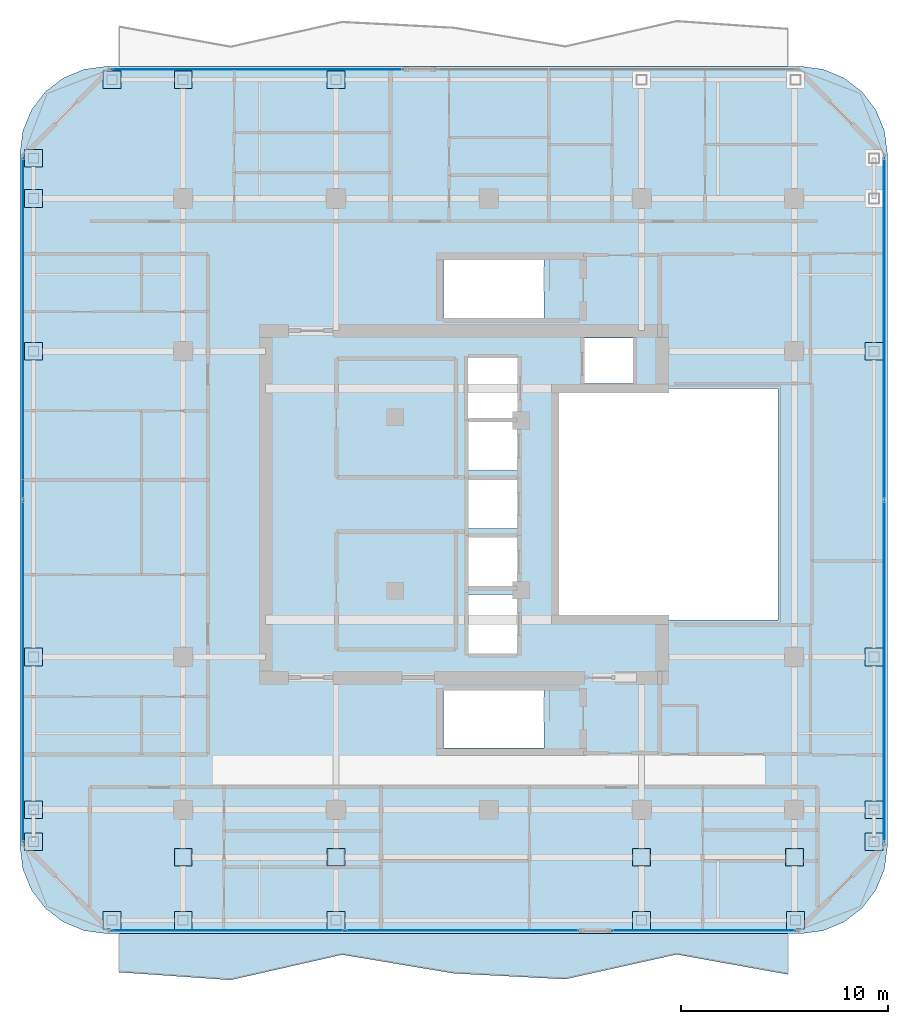
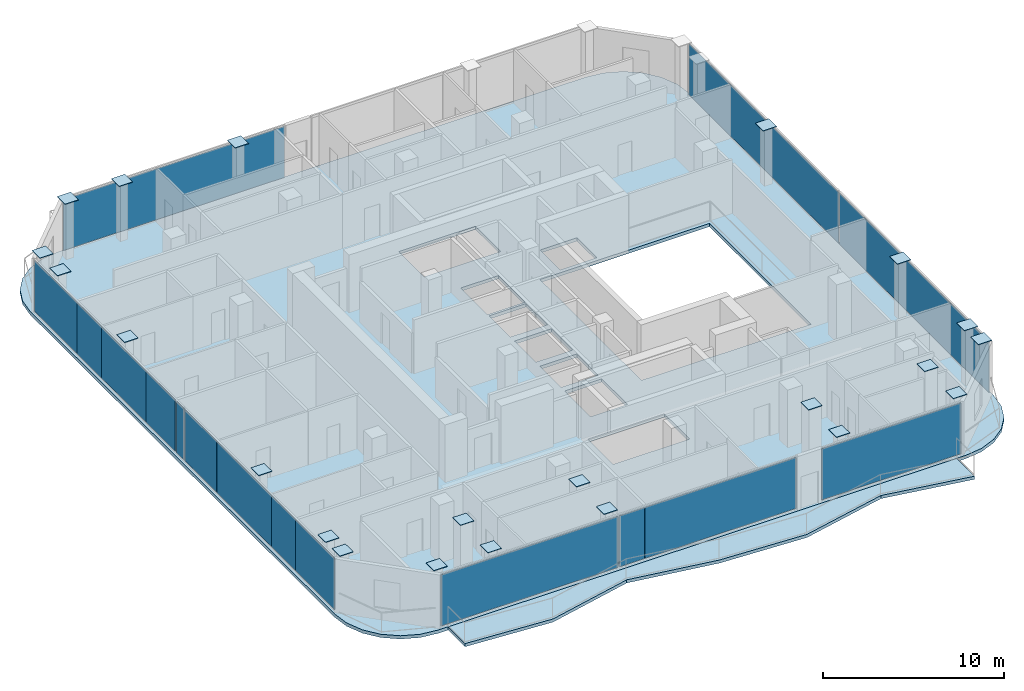
# One storey, part 15 of 22: 38 plates, 2 slabs, 5 elements without a shape of their own.
"""IFC4 building model written with IfcOpenShell, lengths in metres."""

from ifc_helpers import new_model, si_unit, direction, frame, origin, origin_2d, place, context, subcontext, project, spatial, polyline, rectangle, outline, extrude, material, layer, layer_set, type_object, element, aggregate, save


model = new_model("IFC4")

# Units and contexts
model_context = context("Model", 3, precision=1e-05, world=origin(), true_north=direction((0.0, 1.0)))
body_context = subcontext(model_context, "Body", "Model", "MODEL_VIEW")
ifc_project = project(units=[si_unit("LENGTHUNIT", "METRE"), si_unit("AREAUNIT", "SQUARE_METRE"), si_unit("VOLUMEUNIT", "CUBIC_METRE"), si_unit("PLANEANGLEUNIT", "RADIAN"), si_unit("MASSUNIT", "GRAM", prefix="KILO")], contexts=[model_context])

# Site, building, storey
site_placement = place(None, origin())
site = spatial("IfcSite", under=ifc_project, at=site_placement, CompositionType="ELEMENT")
building_placement = place(site_placement, origin())
building = spatial("IfcBuilding", under=site, at=building_placement, Name="Khorvyn Point Tower", CompositionType="ELEMENT")
storey_placement = place(building_placement, frame((0.0, 0.0, 309.300048828125)))
storey = spatial("IfcBuildingStorey", under=building, at=storey_placement, Name="L76", CompositionType="ELEMENT", Elevation=309.300048828125)

# Slabs
ifc_material_1 = material(Name="Concrete C40/50", Category="concrete")
ifc_layer_1 = layer(ifc_material_1, 0.2099609375)
ifc_layer_set_1 = layer_set([ifc_layer_1], Name="Concrete C40/50 Rippling Balcony Slab 210")
slab_type_1 = type_object("IfcSlabType", Name="Concrete C40/50 Rippling Balcony Slab 210", PredefinedType="USERDEFINED", material=ifc_layer_set_1)
slab_1_placement = place(storey_placement, frame((0.0, 0.0, -0.2099609375)))
element("IfcSlab", 1, at=slab_1_placement, inside=storey, type_object=slab_type_1, Name="L76 South Sinusoidal Rippling Balcony", ObjectType="BALCONY", PredefinedType="USERDEFINED", context=body_context, shape_type="SweptSolid", body=[
    extrude(outline(polyline([(-17.89990234375, -20.800048828125), (-17.89990234375, -22.668212890625), (-12.5, -23.04345703125), (-7.10009765625, -21.817138671875), (-1.699951171875, -22.723388671875), (3.699951171875, -23.002685546875), (9.10009765625, -21.8046875), (14.5, -22.77734375), (14.5, -20.800048828125), (-17.89990234375, -20.800048828125)])), origin(), (0.0, 0.0, 1.0), 0.2099609375),
])
ifc_layer_2 = layer(ifc_material_1, 0.264892578125)
ifc_layer_set_2 = layer_set([ifc_layer_2], Name="Concrete C40/50 Structural Floor Slab 265")
slab_type_2 = type_object("IfcSlabType", Name="Concrete C40/50 Structural Floor Slab 265", PredefinedType="FLOOR", material=ifc_layer_set_2)
slab_2_placement = place(storey_placement, frame((0.0, 0.0, -0.219970703125)))
element("IfcSlab", 2, at=slab_2_placement, inside=storey, type_object=slab_type_2, Name="L76 Main Structural Floor Slab", PredefinedType="FLOOR", context=body_context, shape_type="SweptSolid", body=[
    extrude(outline(polyline([(-18.5, -20.800048828125), (-19.5869140625, -20.656982421875), (-20.60009765625, -20.2373046875), (-21.4697265625, -19.56982421875), (-22.13720703125, -18.699951171875), (-22.556884765625, -17.68701171875), (-22.699951171875, -16.60009765625), (-22.699951171875, 17.0), (-22.556884765625, 18.0869140625), (-22.13720703125, 19.10009765625), (-21.4697265625, 19.9697265625), (-20.60009765625, 20.63720703125), (-19.5869140625, 21.056884765625), (-18.5, 21.199951171875), (15.10009765625, 21.199951171875), (16.18701171875, 21.056884765625), (17.199951171875, 20.63720703125), (18.06982421875, 19.9697265625), (18.7373046875, 19.10009765625), (19.156982421875, 18.0869140625), (19.300048828125, 17.0), (19.300048828125, -16.60009765625), (19.156982421875, -17.68701171875), (18.7373046875, -18.699951171875), (18.06982421875, -19.56982421875), (17.199951171875, -20.2373046875), (16.18701171875, -20.656982421875), (15.10009765625, -20.800048828125), (-18.5, -20.800048828125)]), holes=[polyline([(2.679931640625, -11.820068359375), (2.679931640625, -9.02001953125), (-2.199951171875, -9.02001953125), (-2.199951171875, -11.820068359375), (2.679931640625, -11.820068359375)]), polyline([(1.375, -7.22509765625), (1.375, -4.375), (-0.97509765625, -4.375), (-0.97509765625, -7.22509765625), (1.375, -7.22509765625)]), polyline([(1.375, -3.97509765625), (1.375, -1.625), (-0.97509765625, -1.625), (-0.97509765625, -3.97509765625), (1.375, -3.97509765625)]), polyline([(1.375, -1.175048828125), (1.375, 1.175048828125), (-0.97509765625, 1.175048828125), (-0.97509765625, -1.175048828125), (1.375, -1.175048828125)]), polyline([(14.0, -5.60009765625), (14.0, 5.60009765625), (3.199951171875, 5.60009765625), (3.199951171875, -5.60009765625), (14.0, -5.60009765625)]), polyline([(1.375, 1.625), (1.375, 3.97509765625), (-0.97509765625, 3.97509765625), (-0.97509765625, 1.625), (1.375, 1.625)]), polyline([(1.39990234375, 4.125), (1.39990234375, 7.074951171875), (-1.0, 7.074951171875), (-1.0, 4.125), (1.39990234375, 4.125)]), polyline([(4.625, 5.85009765625), (6.97509765625, 5.85009765625), (6.97509765625, 8.054931640625), (4.625, 8.054931640625), (4.625, 5.85009765625)]), polyline([(-2.199951171875, 9.02001953125), (2.679931640625, 9.02001953125), (2.679931640625, 11.820068359375), (-2.199951171875, 11.820068359375), (-2.199951171875, 9.02001953125)])]), origin(), (0.0, 0.0, 1.0), 0.219970703125),
])

# Plates
ifc_material_2 = material(Name="Steel S450", Category="steel")
ifc_layer_3 = layer(ifc_material_2, 0.031982421875)
ifc_layer_set_3 = layer_set([ifc_layer_3], Name="Steel S450 Exoskeleton End Cap Plate 32")
plate_type_1 = type_object("IfcPlateType", Name="Steel S450 Exoskeleton End Cap Plate 32", PredefinedType="USERDEFINED", material=ifc_layer_set_3)
for number, where, z_axis, x_axis, name in (
    (3, (-14.800048828125, -17.10009765625, 3.89404296875), (0.0, 0.0, 1.0), (1.0, 0.0, 0.0), "Plate"),
    (4, (-7.39990234375, -17.10009765625, 3.89404296875), (0.0, 0.0, 1.0), (1.0, 0.0, 0.0), "Plate"),
    (5, (7.39990234375, -17.10009765625, 3.89404296875), (0.0, 0.0, 1.0), (1.0, 0.0, 0.0), "Plate"),
    (6, (14.800048828125, -17.10009765625, 3.89404296875), (0.0, 0.0, 1.0), (1.0, 0.0, 0.0), "Plate"),
    (7, (-18.25, -20.14990234375, 3.89404296875), (0.0, 0.0, 1.0), (1.0, 0.0, 0.0), "Plate"),
    (8, (14.85009765625, -20.14990234375, 3.89404296875), (0.0, 0.0, 1.0), (1.0, 0.0, 0.0), "Plate"),
    (9, (-18.25, 20.550048828125, 3.89404296875), (0.0, 0.0, 1.0), (1.0, 0.0, 0.0), "Plate"),
    (10, (-22.050048828125, -16.35009765625, 3.89404296875), (0.0, 0.0, 1.0), (1.0, 0.0, 0.0), "Plate"),
    (11, (-22.050048828125, 16.75, 3.89404296875), (0.0, 0.0, 1.0), (1.0, 0.0, 0.0), "Plate"),
    (12, (18.64990234375, -16.35009765625, 3.89404296875), (0.0, 0.0, 1.0), (1.0, 0.0, 0.0), "Plate"),
    (13, (-14.800048828125, -20.14990234375, 3.89404296875), (0.0, 0.0, 1.0), (1.0, 0.0, 0.0), "Plate"),
    (14, (-14.800048828125, 20.550048828125, 3.89404296875), (0.0, 0.0, 1.0), (1.0, 0.0, 0.0), "Plate"),
    (15, (-7.39990234375, -20.14990234375, 3.89404296875), (0.0, 0.0, 1.0), (1.0, 0.0, 0.0), "Plate"),
    (16, (-7.39990234375, 20.550048828125, 3.89404296875), (0.0, 0.0, 1.0), (1.0, 0.0, 0.0), "Plate"),
    (17, (7.39990234375, -20.14990234375, 3.89404296875), (0.0, 0.0, 1.0), (1.0, 0.0, 0.0), "Plate"),
    (18, (-22.050048828125, -14.800048828125, 3.89404296875), (0.0, 0.0, 1.0), (1.0, 0.0, 0.0), "Plate"),
    (19, (18.64990234375, -14.800048828125, 3.89404296875), (0.0, 0.0, 1.0), (1.0, 0.0, 0.0), "Plate"),
    (20, (-22.050048828125, -7.39990234375, 3.89404296875), (0.0, 0.0, 1.0), (1.0, 0.0, 0.0), "Plate"),
    (21, (18.64990234375, -7.39990234375, 3.89404296875), (0.0, 0.0, 1.0), (1.0, 0.0, 0.0), "Plate"),
    (22, (-22.050048828125, 7.39990234375, 3.89404296875), (0.0, 0.0, 1.0), (1.0, 0.0, 0.0), "Plate"),
    (23, (18.64990234375, 7.39990234375, 3.89404296875), (0.0, 0.0, 1.0), (1.0, 0.0, 0.0), "Plate"),
    (24, (-22.050048828125, 14.800048828125, 3.89404296875), (0.0, 0.0, 1.0), (1.0, 0.0, 0.0), "Plate"),
):
    element("IfcPlate", number, at=place(storey_placement, frame(where, z_axis=z_axis, x_axis=x_axis)), inside=storey, type_object=plate_type_1, Name=name, ObjectType="GUSSET", PredefinedType="USERDEFINED", context=body_context, shape_type="SweptSolid", body=[
        extrude(rectangle(XDim=0.860107421875, YDim=0.860107421875, at=origin_2d()), origin(), (0.0, 0.0, 1.0), 0.031982421875),
    ])

# Curtain wall, plate
ifc_material_3 = material(Name="Anodised aluminium 6063-T6 and laminated Low-E glass", Category="aluminium")
ifc_layer_4 = layer(ifc_material_3, 0.18994140625)
ifc_layer_set_4 = layer_set([ifc_layer_4], Name="Stick-Built High-Wind Curtain Wall CW-SYS-04")
curtain_wall_type = type_object("IfcCurtainWallType", Name="Stick-Built High-Wind Curtain Wall CW-SYS-04", PredefinedType="NOTDEFINED", material=ifc_layer_set_4)
curtain_wall_1_placement = place(storey_placement, origin())
curtain_wall_1 = element("IfcCurtainWall", 25, at=curtain_wall_1_placement, inside=storey, type_object=curtain_wall_type, Name="Curtain Wall", PredefinedType="NOTDEFINED")
ifc_material_4 = material(Name="Laminated Low-E insulated glass", Category="glass")
ifc_layer_5 = layer(ifc_material_4, 0.028076171875)
ifc_layer_set_5 = layer_set([ifc_layer_5], Name="Tempered Low-E Vision Glazing Panel CW-GL28")
plate_type_2 = type_object("IfcPlateType", Name="Tempered Low-E Vision Glazing Panel CW-GL28", PredefinedType="CURTAIN_PANEL", material=ifc_layer_set_5)
plate_1_placement = place(storey_placement, frame((10.41650390625, -20.64990234375, 0.10009765625), z_axis=(0.0, 0.0, 1.0), x_axis=(-1.0, 0.0, 0.0)))
plate_1 = element("IfcPlate", 26, at=plate_1_placement, type_object=plate_type_2, Name="Panel", PredefinedType="CURTAIN_PANEL", context=body_context, shape_type="SweptSolid", body=[
    extrude(rectangle(XDim=8.866943359375, YDim=0.028076171875, at=origin_2d()), origin(), (0.0, 0.0, 1.0), 3.43994140625),
])
aggregate(curtain_wall_1, [plate_1])

# Curtain wall, plates
curtain_wall_2_placement = place(storey_placement, origin())
curtain_wall_2 = element("IfcCurtainWall", 27, at=curtain_wall_2_placement, inside=storey, type_object=curtain_wall_type, Name="Curtain Wall", PredefinedType="NOTDEFINED")
plate_2_placement = place(storey_placement, frame((-6.09375, -20.64990234375, 0.10009765625), z_axis=(0.0, 0.0, 1.0), x_axis=(-1.0, 0.0, 0.0)))
plate_2 = element("IfcPlate", 28, at=plate_2_placement, type_object=plate_type_2, Name="Panel", PredefinedType="CURTAIN_PANEL", context=body_context, shape_type="SweptSolid", body=[
    extrude(rectangle(XDim=1.611572265625, YDim=0.028076171875, at=origin_2d()), origin(), (0.0, 0.0, 1.0), 3.43994140625),
])
plate_3_placement = place(storey_placement, frame((-0.470458984375, -20.64990234375, 0.10009765625), z_axis=(0.0, 0.0, 1.0), x_axis=(-1.0, 0.0, 0.0)))
plate_3 = element("IfcPlate", 29, at=plate_3_placement, type_object=plate_type_2, Name="Panel", PredefinedType="CURTAIN_PANEL", context=body_context, shape_type="SweptSolid", body=[
    extrude(rectangle(XDim=9.618896484375, YDim=0.028076171875, at=origin_2d()), origin(), (0.0, 0.0, 1.0), 3.43994140625),
])
plate_4_placement = place(storey_placement, frame((-12.626708984375, -20.64990234375, 0.10009765625), z_axis=(0.0, 0.0, 1.0), x_axis=(-1.0, 0.0, 0.0)))
plate_4 = element("IfcPlate", 30, at=plate_4_placement, type_object=plate_type_2, Name="Panel", PredefinedType="CURTAIN_PANEL", context=body_context, shape_type="SweptSolid", body=[
    extrude(rectangle(XDim=11.24658203125, YDim=0.028076171875, at=origin_2d()), origin(), (0.0, 0.0, 1.0), 3.43994140625),
])
aggregate(curtain_wall_2, [plate_2, plate_3, plate_4])

# Curtain wall, plate
curtain_wall_3_placement = place(storey_placement, origin())
curtain_wall_3 = element("IfcCurtainWall", 31, at=curtain_wall_3_placement, inside=storey, type_object=curtain_wall_type, Name="Curtain Wall", PredefinedType="NOTDEFINED")
plate_5_placement = place(storey_placement, frame((-11.205078125, 21.050048828125, 0.10009765625), z_axis=(0.0, 0.0, 1.0), x_axis=(1.0, 0.0, 0.0)))
plate_5 = element("IfcPlate", 32, at=plate_5_placement, type_object=plate_type_2, Name="Panel", PredefinedType="CURTAIN_PANEL", context=body_context, shape_type="SweptSolid", body=[
    extrude(rectangle(XDim=14.090087890625, YDim=0.028076171875, at=origin_2d()), origin(), (0.0, 0.0, 1.0), 3.43994140625),
])
aggregate(curtain_wall_3, [plate_5])

# Curtain wall, plates
curtain_wall_4_placement = place(storey_placement, origin())
curtain_wall_4 = element("IfcCurtainWall", 33, at=curtain_wall_4_placement, inside=storey, type_object=curtain_wall_type, Name="Curtain Wall", PredefinedType="NOTDEFINED")
plate_6_placement = place(storey_placement, frame((-22.550048828125, -14.205078125, 0.10009765625), z_axis=(0.0, 0.0, 1.0), x_axis=(0.0, 1.0, 0.0)))
plate_6 = element("IfcPlate", 34, at=plate_6_placement, type_object=plate_type_2, Name="Panel", PredefinedType="CURTAIN_PANEL", context=body_context, shape_type="SweptSolid", body=[
    extrude(rectangle(XDim=4.281982421875, YDim=0.028076171875, at=origin_2d()), origin(), (0.0, 0.0, 1.0), 3.43994140625),
])
plate_7_placement = place(storey_placement, frame((-22.550048828125, -10.719970703125, 0.10009765625), z_axis=(0.0, 0.0, 1.0), x_axis=(0.0, 1.0, 0.0)))
plate_7 = element("IfcPlate", 35, at=plate_7_placement, type_object=plate_type_2, Name="Panel", PredefinedType="CURTAIN_PANEL", context=body_context, shape_type="SweptSolid", body=[
    extrude(rectangle(XDim=2.672119140625, YDim=0.028076171875, at=origin_2d()), origin(), (0.0, 0.0, 1.0), 3.43994140625),
])
plate_8_placement = place(storey_placement, frame((-22.550048828125, -6.365966796875, 0.10009765625), z_axis=(0.0, 0.0, 1.0), x_axis=(0.0, 1.0, 0.0)))
plate_8 = element("IfcPlate", 36, at=plate_8_placement, type_object=plate_type_2, Name="Panel", PredefinedType="CURTAIN_PANEL", context=body_context, shape_type="SweptSolid", body=[
    extrude(rectangle(XDim=6.02001953125, YDim=0.028076171875, at=origin_2d()), origin(), (0.0, 0.0, 1.0), 3.43994140625),
])
plate_9_placement = place(storey_placement, frame((-22.550048828125, -1.60107421875, 0.10009765625), z_axis=(0.0, 0.0, 1.0), x_axis=(0.0, 1.0, 0.0)))
plate_9 = element("IfcPlate", 37, at=plate_9_placement, type_object=plate_type_2, Name="Panel", PredefinedType="CURTAIN_PANEL", context=body_context, shape_type="SweptSolid", body=[
    extrude(rectangle(XDim=3.493896484375, YDim=0.028076171875, at=origin_2d()), origin(), (0.0, 0.0, 1.0), 3.43994140625),
])
plate_10_placement = place(storey_placement, frame((-22.550048828125, 0.677001953125, 0.10009765625), z_axis=(0.0, 0.0, 1.0), x_axis=(0.0, 1.0, 0.0)))
plate_10 = element("IfcPlate", 38, at=plate_10_placement, type_object=plate_type_2, Name="Panel", PredefinedType="CURTAIN_PANEL", context=body_context, shape_type="SweptSolid", body=[
    extrude(rectangle(XDim=0.845947265625, YDim=0.028076171875, at=origin_2d()), origin(), (0.0, 0.0, 1.0), 3.43994140625),
])
plate_11_placement = place(storey_placement, frame((-22.550048828125, 2.83740234375, 0.10009765625), z_axis=(0.0, 0.0, 1.0), x_axis=(0.0, 1.0, 0.0)))
plate_11 = element("IfcPlate", 39, at=plate_11_placement, type_object=plate_type_2, Name="Panel", PredefinedType="CURTAIN_PANEL", context=body_context, shape_type="SweptSolid", body=[
    extrude(rectangle(XDim=3.218994140625, YDim=0.028076171875, at=origin_2d()), origin(), (0.0, 0.0, 1.0), 3.43994140625),
])
plate_12_placement = place(storey_placement, frame((-22.550048828125, 6.91552734375, 0.10009765625), z_axis=(0.0, 0.0, 1.0), x_axis=(0.0, 1.0, 0.0)))
plate_12 = element("IfcPlate", 40, at=plate_12_placement, type_object=plate_type_2, Name="Panel", PredefinedType="CURTAIN_PANEL", context=body_context, shape_type="SweptSolid", body=[
    extrude(rectangle(XDim=4.9208984375, YDim=0.028076171875, at=origin_2d()), origin(), (0.0, 0.0, 1.0), 3.43994140625),
])
plate_13_placement = place(storey_placement, frame((-22.550048828125, 10.719970703125, 0.10009765625), z_axis=(0.0, 0.0, 1.0), x_axis=(0.0, 1.0, 0.0)))
plate_13 = element("IfcPlate", 41, at=plate_13_placement, type_object=plate_type_2, Name="Panel", PredefinedType="CURTAIN_PANEL", context=body_context, shape_type="SweptSolid", body=[
    extrude(rectangle(XDim=2.672119140625, YDim=0.028076171875, at=origin_2d()), origin(), (0.0, 0.0, 1.0), 3.43994140625),
])
plate_14_placement = place(storey_placement, frame((-22.550048828125, 14.405029296875, 0.10009765625), z_axis=(0.0, 0.0, 1.0), x_axis=(0.0, 1.0, 0.0)))
plate_14 = element("IfcPlate", 42, at=plate_14_placement, type_object=plate_type_2, Name="Panel", PredefinedType="CURTAIN_PANEL", context=body_context, shape_type="SweptSolid", body=[
    extrude(rectangle(XDim=4.681884765625, YDim=0.028076171875, at=origin_2d()), origin(), (0.0, 0.0, 1.0), 3.43994140625),
])
aggregate(curtain_wall_4, [plate_6, plate_7, plate_8, plate_9, plate_10, plate_11, plate_12, plate_13, plate_14])

curtain_wall_5_placement = place(storey_placement, origin())
curtain_wall_5 = element("IfcCurtainWall", 43, at=curtain_wall_5_placement, inside=storey, type_object=curtain_wall_type, Name="Curtain Wall", PredefinedType="NOTDEFINED")
plate_15_placement = place(storey_placement, frame((19.14990234375, 8.5, 0.10009765625), z_axis=(0.0, 0.0, 1.0), x_axis=(0.0, -1.0, 0.0)))
plate_15 = element("IfcPlate", 44, at=plate_15_placement, type_object=plate_type_2, Name="Panel", PredefinedType="CURTAIN_PANEL", context=body_context, shape_type="SweptSolid", body=[
    extrude(rectangle(XDim=16.5, YDim=0.028076171875, at=origin_2d()), origin(), (0.0, 0.0, 1.0), 3.43994140625),
])
plate_16_placement = place(storey_placement, frame((19.14990234375, -8.10009765625, 0.10009765625), z_axis=(0.0, 0.0, 1.0), x_axis=(0.0, -1.0, 0.0)))
plate_16 = element("IfcPlate", 45, at=plate_16_placement, type_object=plate_type_2, Name="Panel", PredefinedType="CURTAIN_PANEL", context=body_context, shape_type="SweptSolid", body=[
    extrude(rectangle(XDim=16.5, YDim=0.028076171875, at=origin_2d()), origin(), (0.0, 0.0, 1.0), 3.43994140625),
])
aggregate(curtain_wall_5, [plate_15, plate_16])

save(model, "model.ifc")
